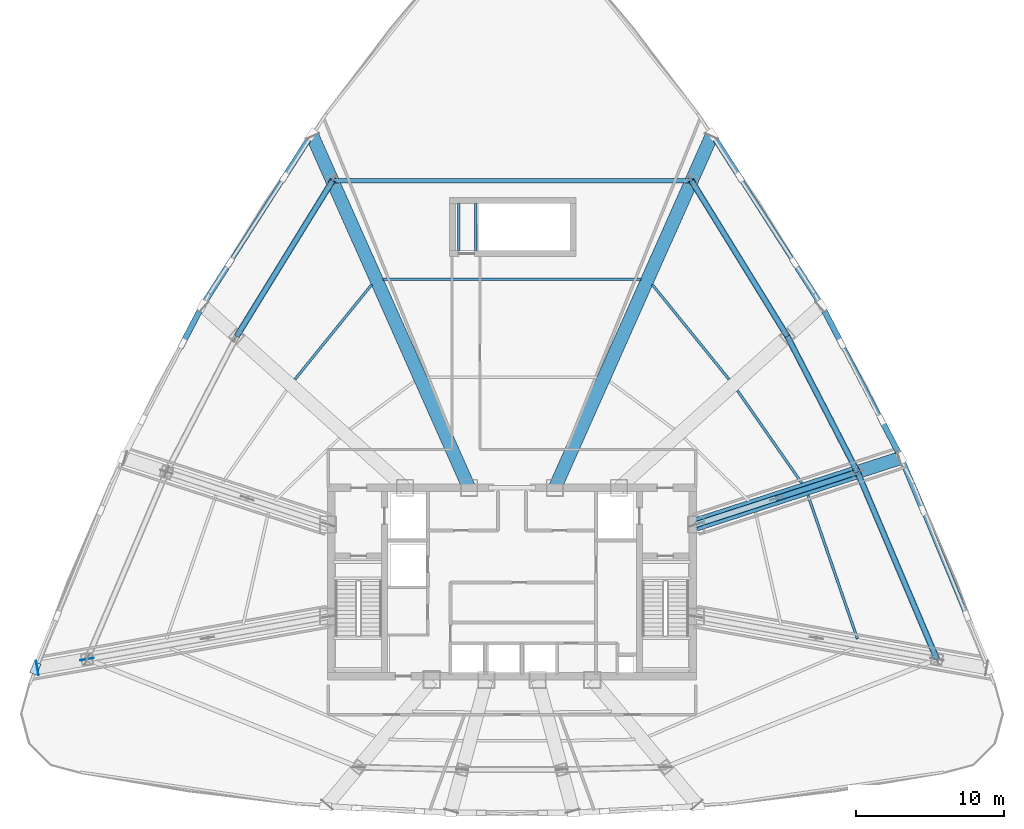
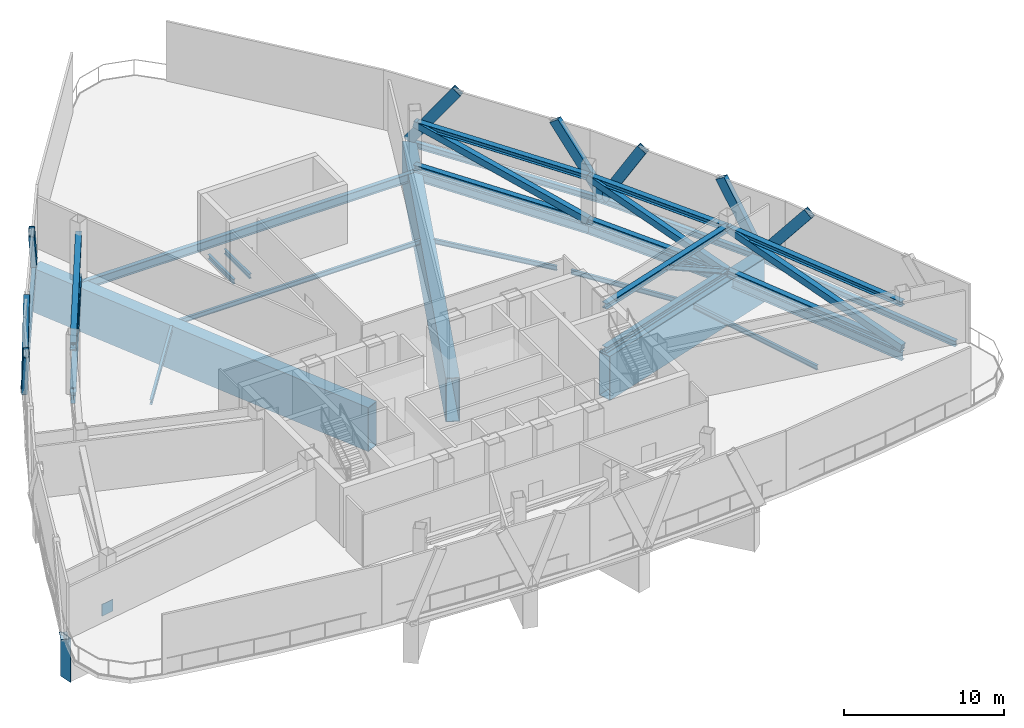
# One storey, part 3 of 13: 23 members, 19 beams, 3 plates.
"""IFC4 building model written with IfcOpenShell, lengths in metres."""

from ifc_helpers import new_model, si_unit, direction, frame, origin, origin_2d, place, context, subcontext, project, spatial, rectangle, hollow_rectangle, i_section, extrude, source, transform, mapped, material, layer, layer_set, material_profile, profile_set, type_object, element, save


model = new_model("IFC4")

# Units and contexts
model_context = context("Model", 3, precision=1e-05, world=origin(), true_north=direction((0.0, 1.0)))
body_context = subcontext(model_context, "Body", "Model", "MODEL_VIEW")
ifc_project = project(units=[si_unit("LENGTHUNIT", "METRE"), si_unit("AREAUNIT", "SQUARE_METRE"), si_unit("VOLUMEUNIT", "CUBIC_METRE"), si_unit("PLANEANGLEUNIT", "RADIAN"), si_unit("MASSUNIT", "GRAM", prefix="KILO"), si_unit("THERMODYNAMICTEMPERATUREUNIT", "KELVIN"), si_unit("POWERUNIT", "WATT")], contexts=[model_context])

# Site, building, storey
site_placement = place(None, origin())
site = spatial("IfcSite", under=ifc_project, at=site_placement, CompositionType="ELEMENT")
building_placement = place(site_placement, origin())
building = spatial("IfcBuilding", under=site, at=building_placement, Name="Yunzhuo Pagoda Commons", CompositionType="ELEMENT")
storey_placement = place(building_placement, frame((0.0, 0.0, 272.760009765625)))
storey = spatial("IfcBuildingStorey", under=building, at=storey_placement, Name="L68", CompositionType="ELEMENT", Elevation=272.760009765625)

# Beams
ifc_material_1 = material(Name="Structural steel Q355B", Category="steel")
ifc_material_profile_1 = material_profile(ifc_material_1, i_section(OverallWidth=0.175048828125, OverallDepth=0.35009765625, WebThickness=0.007080078125, FlangeThickness=0.010986328125, at=origin_2d()), Name="Structural steel Q355B")
ifc_profile_set_1 = profile_set([ifc_material_profile_1], Name="Structural steel Q355B")
beam_type_1 = type_object("IfcBeamType", Name="B-JS2 Joist HN 350x175x7x11", PredefinedType="JOIST", material=ifc_profile_set_1)
shared_shape_1 = source(origin(), body_context, "Body", "SweptSolid", [
    extrude(i_section(OverallWidth=0.175048828125, OverallDepth=0.35009765625, WebThickness=0.007080078125, FlangeThickness=0.010986328125, at=origin_2d()), origin(), (0.0, 0.0, 1.0), 3.199951171875),
])
for number, where, z_axis, x_axis, name in (
    (1, (44.39990234375, 56.199951171875, -0.375), (0.0, 1.0, 0.0), (-1.0, 0.0, 0.0), "L68 ST3 landing support beam 142A"),
    (2, (45.550048828125, 56.199951171875, -0.375), (0.0, 1.0, 0.0), (-1.0, 0.0, 0.0), "L68 ST3 landing support beam 142B"),
):
    element("IfcBeam", number, at=place(storey_placement, frame(where, z_axis=z_axis, x_axis=x_axis)), inside=storey, type_object=beam_type_1, Name=name, PredefinedType="JOIST", context=body_context, shape_type="MappedRepresentation", body=[
        mapped(shared_shape_1, transform((0.0, 0.0, 0.0), scale=1.0)),
    ])
ifc_material_2 = material(Name="Structural steel Q420B", Category="steel")
ifc_material_profile_2 = material_profile(ifc_material_2, hollow_rectangle(XDim=0.89990234375, YDim=3.35009765625, WallThickness=0.048095703125, at=origin_2d()), Name="Structural steel Q420B")
ifc_profile_set_2 = profile_set([ifc_material_profile_2], Name="Structural steel Q420B")
beam_type_2 = type_object("IfcBeamType", Name="BTR-2 Beam BOX 3350x900x48", PredefinedType="BEAM", material=ifc_profile_set_2)
shared_shape_2 = source(origin(), body_context, "Body", "SweptSolid", [
    extrude(hollow_rectangle(XDim=0.89990234375, YDim=3.35009765625, WallThickness=0.048095703125, at=origin_2d()), origin(), (0.0, 0.0, 1.0), 14.406005859375),
])
beam_1_placement = place(storey_placement, frame((74.100830078125, 42.1806640625, -1.955078125), z_axis=(-0.951057355196, -0.309014412492, 0.0), x_axis=(0.309014412492, -0.951057355196, 0.0)))
element("IfcBeam", 3, at=beam_1_placement, inside=storey, type_object=beam_type_2, Name="BTR-2 L68 collinear transfer girder F2C2", PredefinedType="BEAM", context=body_context, shape_type="MappedRepresentation", body=[
    mapped(shared_shape_2, transform((0.0, 0.0, 0.0), scale=1.0)),
])
shared_shape_3 = source(origin(), body_context, "Body", "SweptSolid", [
    extrude(hollow_rectangle(XDim=0.89990234375, YDim=3.35009765625, WallThickness=0.048095703125, at=origin_2d()), origin(), (0.0, 0.0, 1.0), 25.947265625),
])
for number, where, z_axis, x_axis, name in (
    (4, (61.44775390625, 63.904052734375, -1.955078125), (-0.406735516134, -0.913545959389, 0.0), (0.913545959389, -0.406735516134, 0.0), "BTR-2 L68 collinear transfer girder F2C4"),
    (5, (34.55224609375, 63.904052734375, -1.955078125), (0.406735516134, -0.913545959389, 0.0), (0.913545959389, 0.406735516134, 0.0), "BTR-2 L68 collinear transfer girder F3C1"),
):
    element("IfcBeam", number, at=place(storey_placement, frame(where, z_axis=z_axis, x_axis=x_axis)), inside=storey, type_object=beam_type_2, Name=name, PredefinedType="BEAM", context=body_context, shape_type="MappedRepresentation", body=[
        mapped(shared_shape_3, transform((0.0, 0.0, 0.0), scale=1.0)),
    ])
ifc_material_profile_3 = material_profile(ifc_material_1, i_section(OverallWidth=0.300048828125, OverallDepth=0.43994140625, WebThickness=0.010986328125, FlangeThickness=0.01806640625, at=origin_2d()), Name="Structural steel Q355B")
ifc_profile_set_3 = profile_set([ifc_material_profile_3], Name="Structural steel Q355B")
beam_type_3 = type_object("IfcBeamType", Name="B-SP2 Beam HM 440x300x11x18", PredefinedType="BEAM", material=ifc_profile_set_3)
shared_shape_4 = source(origin(), body_context, "Body", "SweptSolid", [
    extrude(i_section(OverallWidth=0.300048828125, OverallDepth=0.43994140625, WebThickness=0.010986328125, FlangeThickness=0.01806640625, at=origin_2d()), origin(), (0.0, 0.0, 1.0), 15.37548828125),
])
beam_2_placement = place(storey_placement, frame((80.150390625, 28.031005859375, -0.5), z_axis=(-0.383865486512, 0.923389023253, 0.0), x_axis=(-0.923389023253, -0.383865486512, 0.0)))
element("IfcBeam", 6, at=beam_2_placement, inside=storey, type_object=beam_type_3, Name="L68 facade edge spandrel beam F2.1", PredefinedType="BEAM", context=body_context, shape_type="MappedRepresentation", body=[
    mapped(shared_shape_4, transform((0.0, 0.0, 0.0), scale=1.0)),
])
shared_shape_5 = source(origin(), body_context, "Body", "SweptSolid", [
    extrude(i_section(OverallWidth=0.300048828125, OverallDepth=0.43994140625, WebThickness=0.010986328125, FlangeThickness=0.01806640625, at=origin_2d()), origin(), (0.0, 0.0, 1.0), 11.5908203125),
])
beam_3_placement = place(storey_placement, frame((74.248291015625, 42.228515625, -0.5), z_axis=(-0.462882706125, 0.886419539705, 0.0), x_axis=(-0.886419539705, -0.462882706125, 0.0)))
element("IfcBeam", 7, at=beam_3_placement, inside=storey, type_object=beam_type_3, Name="L68 facade edge spandrel beam F2.2", PredefinedType="BEAM", context=body_context, shape_type="MappedRepresentation", body=[
    mapped(shared_shape_5, transform((0.0, 0.0, 0.0), scale=1.0)),
])
shared_shape_6 = source(origin(), body_context, "Body", "SweptSolid", [
    extrude(i_section(OverallWidth=0.300048828125, OverallDepth=0.43994140625, WebThickness=0.010986328125, FlangeThickness=0.01806640625, at=origin_2d()), origin(), (0.0, 0.0, 1.0), 13.6962890625),
])
beam_4_placement = place(storey_placement, frame((68.883056640625, 52.5029296875, -0.5), z_axis=(-0.53827499395, 0.842769263137, 0.0), x_axis=(-0.842769263137, -0.53827499395, 0.0)))
element("IfcBeam", 8, at=beam_4_placement, inside=storey, type_object=beam_type_3, Name="L68 facade edge spandrel beam F2.3", PredefinedType="BEAM", context=body_context, shape_type="MappedRepresentation", body=[
    mapped(shared_shape_6, transform((0.0, 0.0, 0.0), scale=1.0)),
])
shared_shape_7 = source(origin(), body_context, "Body", "SweptSolid", [
    extrude(i_section(OverallWidth=0.300048828125, OverallDepth=0.43994140625, WebThickness=0.010986328125, FlangeThickness=0.01806640625, at=origin_2d()), origin(), (0.0, 0.0, 1.0), 13.696044921875),
])
beam_5_placement = place(storey_placement, frame((34.4892578125, 64.045654296875, -0.5), z_axis=(-0.538249671817, -0.842785435795, 0.0), x_axis=(0.842785435795, -0.538249671817, 0.0)))
element("IfcBeam", 9, at=beam_5_placement, inside=storey, type_object=beam_type_3, Name="L68 facade edge spandrel beam F3.1", PredefinedType="BEAM", context=body_context, shape_type="MappedRepresentation", body=[
    mapped(shared_shape_7, transform((0.0, 0.0, 0.0), scale=1.0)),
])
ifc_material_profile_4 = material_profile(ifc_material_1, i_section(OverallWidth=0.300048828125, OverallDepth=0.64990234375, WebThickness=0.012939453125, FlangeThickness=0.02197265625, at=origin_2d()), Name="Structural steel Q355B")
ifc_profile_set_4 = profile_set([ifc_material_profile_4], Name="Structural steel Q355B")
beam_type_4 = type_object("IfcBeamType", Name="B-RG2 Beam HN 650x300x13x22", PredefinedType="BEAM", material=ifc_profile_set_4)
shared_shape_8 = source(origin(), body_context, "Body", "SweptSolid", [
    extrude(i_section(OverallWidth=0.300048828125, OverallDepth=0.64990234375, WebThickness=0.012939453125, FlangeThickness=0.02197265625, at=origin_2d()), origin(), (0.0, 0.0, 1.0), 13.715576171875),
])
beam_6_placement = place(storey_placement, frame((76.66162109375, 28.646240234375, -0.60498046875), z_axis=(-0.390733146992, 0.920503996646, 0.0), x_axis=(-0.920503996646, -0.390733146992, 0.0)))
element("IfcBeam", 10, at=beam_6_placement, inside=storey, type_object=beam_type_4, Name="L68 column-ring beam 5", PredefinedType="BEAM", context=body_context, shape_type="MappedRepresentation", body=[
    mapped(shared_shape_8, transform((0.0, 0.0, 0.0), scale=1.0)),
])
shared_shape_9 = source(origin(), body_context, "Body", "SweptSolid", [
    extrude(i_section(OverallWidth=0.175048828125, OverallDepth=0.35009765625, WebThickness=0.007080078125, FlangeThickness=0.010986328125, at=origin_2d()), origin(), (0.0, 0.0, 1.0), 10.230712890625),
])
beam_7_placement = place(storey_placement, frame((71.302490234375, 30.0146484375, -0.455078125), z_axis=(-0.325833295841, 0.945427238512, 0.0), x_axis=(-0.945427238512, -0.325833295841, 0.0)))
element("IfcBeam", 11, at=beam_7_placement, inside=storey, type_object=beam_type_1, Name="L68 composite ring joist 2.5", PredefinedType="JOIST", context=body_context, shape_type="MappedRepresentation", body=[
    mapped(shared_shape_9, transform((0.0, 0.0, 0.0), scale=1.0)),
])
shared_shape_10 = source(origin(), body_context, "Body", "SweptSolid", [
    extrude(i_section(OverallWidth=0.300048828125, OverallDepth=0.64990234375, WebThickness=0.012939453125, FlangeThickness=0.02197265625, at=origin_2d()), origin(), (0.0, 0.0, 1.0), 10.3017578125),
])
beam_8_placement = place(storey_placement, frame((71.302490234375, 41.271484375, -0.60498046875), z_axis=(-0.459070867827, 0.888399650108, 0.0), x_axis=(-0.888399650108, -0.459070867827, 0.0)))
element("IfcBeam", 12, at=beam_8_placement, inside=storey, type_object=beam_type_4, Name="L68 column-ring beam 6", PredefinedType="BEAM", context=body_context, shape_type="MappedRepresentation", body=[
    mapped(shared_shape_10, transform((0.0, 0.0, 0.0), scale=1.0)),
])
shared_shape_11 = source(origin(), body_context, "Body", "SweptSolid", [
    extrude(i_section(OverallWidth=0.175048828125, OverallDepth=0.35009765625, WebThickness=0.007080078125, FlangeThickness=0.010986328125, at=origin_2d()), origin(), (0.0, 0.0, 1.0), 7.587158203125),
])
beam_9_placement = place(storey_placement, frame((67.54150390625, 40.529541015625, -0.455078125), z_axis=(-0.570614687592, 0.82121792376, 0.0), x_axis=(-0.82121792376, -0.570614687592, 0.0)))
element("IfcBeam", 13, at=beam_9_placement, inside=storey, type_object=beam_type_1, Name="L68 composite ring joist 2.6", PredefinedType="JOIST", context=body_context, shape_type="MappedRepresentation", body=[
    mapped(shared_shape_11, transform((0.0, 0.0, 0.0), scale=1.0)),
])
shared_shape_12 = source(origin(), body_context, "Body", "SweptSolid", [
    extrude(i_section(OverallWidth=0.300048828125, OverallDepth=0.64990234375, WebThickness=0.012939453125, FlangeThickness=0.02197265625, at=origin_2d()), origin(), (0.0, 0.0, 1.0), 12.315185546875),
])
for number, where, z_axis, x_axis, name in (
    (14, (66.5732421875, 50.423583984375, -0.60498046875), (-0.524469015689, 0.851429534126, 0.0), (-0.851429534126, -0.524469015689, 0.0), "L68 column-ring beam 7"),
    (15, (35.8857421875, 60.9091796875, -0.60498046875), (-0.524469015689, -0.851429534126, 0.0), (0.851429534126, -0.524469015689, 0.0), "L68 column-ring beam 9"),
):
    element("IfcBeam", number, at=place(storey_placement, frame(where, z_axis=z_axis, x_axis=x_axis)), inside=storey, type_object=beam_type_4, Name=name, PredefinedType="BEAM", context=body_context, shape_type="MappedRepresentation", body=[
        mapped(shared_shape_12, transform((0.0, 0.0, 0.0), scale=1.0)),
    ])
shared_shape_13 = source(origin(), body_context, "Body", "SweptSolid", [
    extrude(i_section(OverallWidth=0.175048828125, OverallDepth=0.35009765625, WebThickness=0.007080078125, FlangeThickness=0.010986328125, at=origin_2d()), origin(), (0.0, 0.0, 1.0), 8.22216796875),
])
for number, where, z_axis, x_axis, name in (
    (16, (62.6396484375, 47.522705078125, -0.455078125), (-0.629459571871, 0.777033234412, 0.0), (-0.777033234412, -0.629459571871, 0.0), "L68 composite ring joist 2.7"),
    (17, (38.535888671875, 53.91162109375, -0.455078125), (-0.629459571871, -0.777033234412, 0.0), (0.777033234412, -0.629459571871, 0.0), "L68 composite ring joist 2.9"),
):
    element("IfcBeam", number, at=place(storey_placement, frame(where, z_axis=z_axis, x_axis=x_axis)), inside=storey, type_object=beam_type_1, Name=name, PredefinedType="JOIST", context=body_context, shape_type="MappedRepresentation", body=[
        mapped(shared_shape_13, transform((0.0, 0.0, 0.0), scale=1.0)),
    ])
shared_shape_14 = source(origin(), body_context, "Body", "SweptSolid", [
    extrude(i_section(OverallWidth=0.300048828125, OverallDepth=0.64990234375, WebThickness=0.012939453125, FlangeThickness=0.02197265625, at=origin_2d()), origin(), (0.0, 0.0, 1.0), 24.228515625),
])
beam_10_placement = place(storey_placement, frame((60.1142578125, 60.9091796875, -0.60498046875), z_axis=(-1.0, 0.0, 0.0), x_axis=(0.0, -1.0, 0.0)))
element("IfcBeam", 18, at=beam_10_placement, inside=storey, type_object=beam_type_4, Name="L68 column-ring beam 8", PredefinedType="BEAM", context=body_context, shape_type="MappedRepresentation", body=[
    mapped(shared_shape_14, transform((0.0, 0.0, 0.0), scale=1.0)),
])
shared_shape_15 = source(origin(), body_context, "Body", "SweptSolid", [
    extrude(i_section(OverallWidth=0.175048828125, OverallDepth=0.35009765625, WebThickness=0.007080078125, FlangeThickness=0.010986328125, at=origin_2d()), origin(), (0.0, 0.0, 1.0), 17.37353515625),
])
beam_11_placement = place(storey_placement, frame((56.686767578125, 54.2822265625, -0.455078125), z_axis=(-1.0, 0.0, 0.0), x_axis=(0.0, -1.0, 0.0)))
element("IfcBeam", 19, at=beam_11_placement, inside=storey, type_object=beam_type_1, Name="L68 composite ring joist 2.8", PredefinedType="JOIST", context=body_context, shape_type="MappedRepresentation", body=[
    mapped(shared_shape_15, transform((0.0, 0.0, 0.0), scale=1.0)),
])

# Members
ifc_material_profile_5 = material_profile(ifc_material_2, i_section(OverallWidth=0.406982421875, OverallDepth=0.427978515625, WebThickness=0.02001953125, FlangeThickness=0.034912109375, at=origin_2d()), Name="Structural steel Q420B")
ifc_profile_set_5 = profile_set([ifc_material_profile_5], Name="Structural steel Q420B")
member_type_1 = type_object("IfcMemberType", Name="M-OTC Chord HW 428x407x20x35", PredefinedType="CHORD", material=ifc_profile_set_5)
shared_shape_16 = source(origin(), body_context, "Body", "SweptSolid", [
    extrude(i_section(OverallWidth=0.406982421875, OverallDepth=0.427978515625, WebThickness=0.02001953125, FlangeThickness=0.034912109375, at=origin_2d()), origin(), (0.0, 0.0, 1.0), 11.463623046875),
])
for number, where, z_axis, x_axis, name in (
    (20, (60.39990234375, 37.72900390625, 0.070068359375), (0.951056133711, 0.309018171846, 0.0), (-0.309018171846, 0.951056133711, 0.0), "L68 outrigger bottom chord F2C2"),
    (21, (60.39990234375, 37.72900390625, 3.389892578125), (0.951056133711, 0.309018171846, 0.0), (-0.309018171846, 0.951056133711, 0.0), "L68 outrigger top chord F2C2"),
):
    element("IfcMember", number, at=place(storey_placement, frame(where, z_axis=z_axis, x_axis=x_axis)), inside=storey, type_object=member_type_1, Name=name, PredefinedType="CHORD", context=body_context, shape_type="MappedRepresentation", body=[
        mapped(shared_shape_16, transform((0.0, 0.0, 0.0), scale=1.0)),
    ])
ifc_material_profile_6 = material_profile(ifc_material_2, i_section(OverallWidth=0.35009765625, OverallDepth=0.35009765625, WebThickness=0.011962890625, FlangeThickness=0.01904296875, at=origin_2d()), Name="Structural steel Q420B")
ifc_profile_set_6 = profile_set([ifc_material_profile_6], Name="Structural steel Q420B")
member_type_2 = type_object("IfcMemberType", Name="M-OTB Brace HW 350x350x12x19", PredefinedType="BRACE", material=ifc_profile_set_6)
shared_shape_17 = source(origin(), body_context, "Body", "SweptSolid", [
    extrude(i_section(OverallWidth=0.35009765625, OverallDepth=0.35009765625, WebThickness=0.011962890625, FlangeThickness=0.01904296875, at=origin_2d()), origin(), (0.0, 0.0, 1.0), 6.623779296875),
])
member_1_placement = place(storey_placement, frame((65.851318359375, 39.500244140625, 3.389892578125), z_axis=(0.822976154428, 0.26740827662, -0.50120161895), x_axis=(-0.309024430993, 0.951054099959, 0.0)))
element("IfcMember", 22, at=member_1_placement, inside=storey, type_object=member_type_2, Name="L68 outrigger diagonal brace F2C2B", PredefinedType="BRACE", context=body_context, shape_type="MappedRepresentation", body=[
    mapped(shared_shape_17, transform((0.0, 0.0, 0.0), scale=1.0)),
])
ifc_material_profile_7 = material_profile(ifc_material_2, i_section(OverallWidth=0.39990234375, OverallDepth=0.39990234375, WebThickness=0.012939453125, FlangeThickness=0.02099609375, at=origin_2d()), Name="Structural steel Q420B")
ifc_profile_set_7 = profile_set([ifc_material_profile_7], Name="Structural steel Q420B")
member_type_3 = type_object("IfcMemberType", Name="M-BTC Chord HW 400x400x13x21", PredefinedType="CHORD", material=ifc_profile_set_7)
shared_shape_18 = source(origin(), body_context, "Body", "SweptSolid", [
    extrude(i_section(OverallWidth=0.39990234375, OverallDepth=0.39990234375, WebThickness=0.012939453125, FlangeThickness=0.02099609375, at=origin_2d()), origin(), (0.0, 0.0, 1.0), 13.715576171875),
])
for number, where, z_axis, x_axis, name in (
    (23, (76.66162109375, 28.646240234375, 0.070068359375), (-0.390733146992, 0.920503996646, 0.0), (-0.920503996646, -0.390733146992, 0.0), "L68 belt truss bottom chord 5"),
    (24, (76.66162109375, 28.646240234375, 3.389892578125), (-0.390733146992, 0.920503996646, 0.0), (-0.920503996646, -0.390733146992, 0.0), "L68 belt truss top chord 5"),
):
    element("IfcMember", number, at=place(storey_placement, frame(where, z_axis=z_axis, x_axis=x_axis)), inside=storey, type_object=member_type_3, Name=name, PredefinedType="CHORD", context=body_context, shape_type="MappedRepresentation", body=[
        mapped(shared_shape_18, transform((0.0, 0.0, 0.0), scale=1.0)),
    ])
ifc_material_profile_8 = material_profile(ifc_material_2, hollow_rectangle(XDim=0.39990234375, YDim=0.5, WallThickness=0.02392578125, at=origin_2d()), Name="Structural steel Q420B")
ifc_profile_set_8 = profile_set([ifc_material_profile_8], Name="Structural steel Q420B")
member_type_4 = type_object("IfcMemberType", Name="M-BTB Brace RHS 500x400x24", PredefinedType="BRACE", material=ifc_profile_set_8)
shared_shape_19 = source(origin(), body_context, "Body", "SweptSolid", [
    extrude(hollow_rectangle(XDim=0.39990234375, YDim=0.5, WallThickness=0.02392578125, at=origin_2d()), origin(), (0.0, 0.0, 1.0), 14.111572265625),
])
member_2_placement = place(storey_placement, frame((76.66162109375, 28.646240234375, 0.070068359375), z_axis=(-0.379766767135, 0.894668982226, 0.235254361965), x_axis=(-0.920503996646, -0.390733146992, 0.0)))
element("IfcMember", 25, at=member_2_placement, inside=storey, type_object=member_type_4, Name="L68 belt truss diagonal brace 5A", PredefinedType="BRACE", context=body_context, shape_type="MappedRepresentation", body=[
    mapped(shared_shape_19, transform((0.0, 0.0, 0.0), scale=1.0)),
])
shared_shape_20 = source(origin(), body_context, "Body", "SweptSolid", [
    extrude(i_section(OverallWidth=0.39990234375, OverallDepth=0.39990234375, WebThickness=0.012939453125, FlangeThickness=0.02099609375, at=origin_2d()), origin(), (0.0, 0.0, 1.0), 10.3017578125),
])
for number, where, z_axis, x_axis, name in (
    (26, (71.302490234375, 41.271484375, 0.070068359375), (-0.459070867827, 0.888399650108, 0.0), (-0.888399650108, -0.459070867827, 0.0), "L68 belt truss bottom chord 6"),
    (27, (71.302490234375, 41.271484375, 3.389892578125), (-0.459070867827, 0.888399650108, 0.0), (-0.888399650108, -0.459070867827, 0.0), "L68 belt truss top chord 6"),
):
    element("IfcMember", number, at=place(storey_placement, frame(where, z_axis=z_axis, x_axis=x_axis)), inside=storey, type_object=member_type_3, Name=name, PredefinedType="CHORD", context=body_context, shape_type="MappedRepresentation", body=[
        mapped(shared_shape_20, transform((0.0, 0.0, 0.0), scale=1.0)),
    ])
shared_shape_21 = source(origin(), body_context, "Body", "SweptSolid", [
    extrude(hollow_rectangle(XDim=0.39990234375, YDim=0.5, WallThickness=0.02392578125, at=origin_2d()), origin(), (0.0, 0.0, 1.0), 10.823486328125),
])
member_3_placement = place(storey_placement, frame((71.302490234375, 41.271484375, 0.070068359375), z_axis=(-0.436942965395, 0.84557745825, 0.306723991711), x_axis=(-0.888399650108, -0.459070867827, 0.0)))
element("IfcMember", 28, at=member_3_placement, inside=storey, type_object=member_type_4, Name="L68 belt truss diagonal brace 6A", PredefinedType="BRACE", context=body_context, shape_type="MappedRepresentation", body=[
    mapped(shared_shape_21, transform((0.0, 0.0, 0.0), scale=1.0)),
])
shared_shape_22 = source(origin(), body_context, "Body", "SweptSolid", [
    extrude(i_section(OverallWidth=0.39990234375, OverallDepth=0.39990234375, WebThickness=0.012939453125, FlangeThickness=0.02099609375, at=origin_2d()), origin(), (0.0, 0.0, 1.0), 12.315185546875),
])
for number, where, z_axis, x_axis, name in (
    (29, (66.5732421875, 50.423583984375, 0.070068359375), (-0.524469015689, 0.851429534126, 0.0), (-0.851429534126, -0.524469015689, 0.0), "L68 belt truss bottom chord 7"),
    (30, (66.5732421875, 50.423583984375, 3.389892578125), (-0.524469015689, 0.851429534126, 0.0), (-0.851429534126, -0.524469015689, 0.0), "L68 belt truss top chord 7"),
    (31, (35.8857421875, 60.9091796875, 0.070068359375), (-0.524469015689, -0.851429534126, 0.0), (0.851429534126, -0.524469015689, 0.0), "L68 belt truss bottom chord 9"),
    (32, (35.8857421875, 60.9091796875, 3.389892578125), (-0.524469015689, -0.851429534126, 0.0), (0.851429534126, -0.524469015689, 0.0), "L68 belt truss top chord 9"),
):
    element("IfcMember", number, at=place(storey_placement, frame(where, z_axis=z_axis, x_axis=x_axis)), inside=storey, type_object=member_type_3, Name=name, PredefinedType="CHORD", context=body_context, shape_type="MappedRepresentation", body=[
        mapped(shared_shape_22, transform((0.0, 0.0, 0.0), scale=1.0)),
    ])
shared_shape_23 = source(origin(), body_context, "Body", "SweptSolid", [
    extrude(hollow_rectangle(XDim=0.39990234375, YDim=0.5, WallThickness=0.02392578125, at=origin_2d()), origin(), (0.0, 0.0, 1.0), 12.7548828125),
])
for number, where, z_axis, x_axis, name in (
    (33, (66.5732421875, 50.423583984375, 0.070068359375), (-0.506392465918, 0.822083838022, 0.260278377365), (-0.851429534126, -0.524469015689, 0.0), "L68 belt truss diagonal brace 7A"),
    (34, (35.8857421875, 60.9091796875, 0.070068359375), (-0.506392465918, -0.822083838022, 0.260278377365), (0.851429534126, -0.524469015689, 0.0), "L68 belt truss diagonal brace 9A"),
):
    element("IfcMember", number, at=place(storey_placement, frame(where, z_axis=z_axis, x_axis=x_axis)), inside=storey, type_object=member_type_4, Name=name, PredefinedType="BRACE", context=body_context, shape_type="MappedRepresentation", body=[
        mapped(shared_shape_23, transform((0.0, 0.0, 0.0), scale=1.0)),
    ])
ifc_material_profile_9 = material_profile(ifc_material_1, hollow_rectangle(XDim=0.3798828125, YDim=0.719970703125, WallThickness=0.02001953125, at=origin_2d()), Name="Structural steel Q355B")
ifc_profile_set_9 = profile_set([ifc_material_profile_9], Name="Structural steel Q355B")
member_type_5 = type_object("IfcMemberType", Name="M-DL3 Brace BOX 720x380x20", PredefinedType="BRACE", material=ifc_profile_set_9)
shared_shape_24 = source(origin(), body_context, "Body", "SweptSolid", [
    extrude(hollow_rectangle(XDim=0.3798828125, YDim=0.719970703125, WallThickness=0.02001953125, at=origin_2d()), origin(), (0.0, 0.0, 1.0), 6.164794921875),
])
member_4_placement = place(storey_placement, frame((74.248291015625, 42.228515625, -0.27978515625), z_axis=(0.239353677057, -0.57573192539, 0.781820035153), x_axis=(0.923381054941, 0.383884653739, 0.0)))
element("IfcMember", 35, at=member_4_placement, inside=storey, type_object=member_type_5, Name="L68 facade diamond brace F2.1R", PredefinedType="BRACE", context=body_context, shape_type="MappedRepresentation", body=[
    mapped(shared_shape_24, transform((0.0, 0.0, 0.0), scale=1.0)),
])
shared_shape_25 = source(origin(), body_context, "Body", "SweptSolid", [
    extrude(hollow_rectangle(XDim=0.3798828125, YDim=0.719970703125, WallThickness=0.02001953125, at=origin_2d()), origin(), (0.0, 0.0, 1.0), 5.623779296875),
])
for number, where, z_axis, x_axis, name in (
    (36, (74.248291015625, 42.228515625, -0.27978515625), (-0.238504189533, 0.456735088839, 0.857034894388), (-0.886419539705, -0.462882706125, 0.0), "L68 facade diamond brace F2.2L"),
    (37, (68.883056640625, 52.5029296875, -0.27978515625), (0.238463246586, -0.456739817465, 0.85704376736), (0.886454108039, 0.462816501802, 0.0), "L68 facade diamond brace F2.2R"),
    (38, (27.117431640625, 52.5029296875, -0.27978515625), (-0.238545131209, -0.456730359499, 0.857026020077), (0.886384969123, -0.462948902702, 0.0), "L68 facade diamond brace F3.2L"),
):
    element("IfcMember", number, at=place(storey_placement, frame(where, z_axis=z_axis, x_axis=x_axis)), inside=storey, type_object=member_type_5, Name=name, PredefinedType="BRACE", context=body_context, shape_type="MappedRepresentation", body=[
        mapped(shared_shape_25, transform((0.0, 0.0, 0.0), scale=1.0)),
    ])
shared_shape_26 = source(origin(), body_context, "Body", "SweptSolid", [
    extrude(hollow_rectangle(XDim=0.3798828125, YDim=0.719970703125, WallThickness=0.02001953125, at=origin_2d()), origin(), (0.0, 0.0, 1.0), 5.912353515625),
])
for number, where, z_axis, x_axis, name in (
    (39, (68.883056640625, 52.5029296875, -0.27978515625), (-0.311764894907, 0.488087557325, 0.815213583478), (-0.842750169095, -0.538304888043, 0.0), "L68 facade diamond brace F2.3L"),
    (40, (61.5107421875, 64.045654296875, -0.27978515625), (0.311727614429, -0.488093840582, 0.8152240779), (0.842782513918, 0.538254246833, 0.0), "L68 facade diamond brace F2.3R"),
    (41, (34.4892578125, 64.045654296875, -0.27978515625), (-0.311727614429, -0.488093840582, 0.8152240779), (0.842782513918, -0.538254246833, 0.0), "L68 facade diamond brace F3.1L"),
):
    element("IfcMember", number, at=place(storey_placement, frame(where, z_axis=z_axis, x_axis=x_axis)), inside=storey, type_object=member_type_5, Name=name, PredefinedType="BRACE", context=body_context, shape_type="MappedRepresentation", body=[
        mapped(shared_shape_26, transform((0.0, 0.0, 0.0), scale=1.0)),
    ])
shared_shape_27 = source(origin(), body_context, "Body", "SweptSolid", [
    extrude(hollow_rectangle(XDim=0.3798828125, YDim=0.719970703125, WallThickness=0.02001953125, at=origin_2d()), origin(), (0.0, 0.0, 1.0), 5.912109375),
])
member_5_placement = place(storey_placement, frame((27.117431640625, 52.5029296875, -0.27978515625), z_axis=(0.311690332512, 0.48810012325, 0.815234571337), x_axis=(-0.842814858181, 0.538203599793, 0.0)))
element("IfcMember", 42, at=member_5_placement, inside=storey, type_object=member_type_5, Name="L68 facade diamond brace F3.1R", PredefinedType="BRACE", context=body_context, shape_type="MappedRepresentation", body=[
    mapped(shared_shape_27, transform((0.0, 0.0, 0.0), scale=1.0)),
])

# Plates
ifc_layer_1 = layer(ifc_material_2, 0.0400390625)
ifc_layer_set_1 = layer_set([ifc_layer_1], Name="Structural steel Q420B")
plate_type_1 = type_object("IfcPlateType", Name="EP-TR2 Transfer Girder End Cap Plate 980x3540x40", PredefinedType="USERDEFINED", material=ifc_layer_set_1)
shared_shape_28 = source(origin(), body_context, "Body", "SweptSolid", [
    extrude(rectangle(XDim=0.97998046875, YDim=0.0400390625, at=origin_2d()), origin(), (0.0, 0.0, 1.0), 3.389892578125),
])
plate_1_placement = place(storey_placement, frame((15.98486328125, 28.054931640625, -3.64990234375), z_axis=(0.0, 0.0, 1.0), x_axis=(0.173648177667, -0.984807753012, 0.0)))
element("IfcPlate", 43, at=plate_1_placement, inside=storey, type_object=plate_type_1, Name="L68 transfer girder end cap plate F3C4", ObjectType="END_PLATE", PredefinedType="USERDEFINED", context=body_context, shape_type="MappedRepresentation", body=[
    mapped(shared_shape_28, transform((0.0, 0.0, 0.0), scale=1.0)),
])
ifc_layer_2 = layer(ifc_material_2, 0.0400390625)
ifc_layer_set_2 = layer_set([ifc_layer_2], Name="Structural steel Q420B")
plate_type_2 = type_object("IfcPlateType", Name="GP-OT1 Outrigger Gusset Plate 900x500x900", PredefinedType="USERDEFINED", material=ifc_layer_set_2)
shared_shape_29 = source(origin(), body_context, "Body", "SweptSolid", [
    extrude(rectangle(XDim=0.89990234375, YDim=0.0400390625, at=origin_2d()), origin(), (0.0, 0.0, 1.0), 0.89990234375),
])
plate_2_placement = place(storey_placement, frame((19.33837890625, 28.646240234375, -0.179931640625), z_axis=(0.0, 0.0, 1.0), x_axis=(-0.984807753012, -0.173648177667, 0.0)))
element("IfcPlate", 44, at=plate_2_placement, inside=storey, type_object=plate_type_2, Name="L68 outrigger column gusset plate F3C4", ObjectType="GUSSET_PLATE", PredefinedType="USERDEFINED", context=body_context, shape_type="MappedRepresentation", body=[
    mapped(shared_shape_29, transform((0.0, 0.0, 0.0), scale=1.0)),
])
ifc_layer_3 = layer(ifc_material_1, 0.028076171875)
ifc_layer_set_3 = layer_set([ifc_layer_3], Name="Structural steel Q355B")
plate_type_3 = type_object("IfcPlateType", Name="SP-ND1 Lattice Node Cap Plate 800x500x28", PredefinedType="USERDEFINED", material=ifc_layer_set_3)
shared_shape_30 = source(origin(), body_context, "Body", "SweptSolid", [
    extrude(rectangle(XDim=0.800048828125, YDim=0.5, at=origin_2d()), origin(), (0.0, 0.0, 1.0), 0.028076171875),
])
plate_3_placement = place(storey_placement, frame((15.849853515625, 28.031005859375, -0.2939453125), z_axis=(0.0, 0.0, 1.0), x_axis=(-0.383860227441, -0.923391209504, 0.0)))
element("IfcPlate", 45, at=plate_3_placement, inside=storey, type_object=plate_type_3, Name="L68 diamond node plate F3.3B", ObjectType="STIFFENER_PLATE", PredefinedType="USERDEFINED", context=body_context, shape_type="MappedRepresentation", body=[
    mapped(shared_shape_30, transform((0.0, 0.0, 0.0), scale=1.0)),
])

save(model, "model.ifc")
